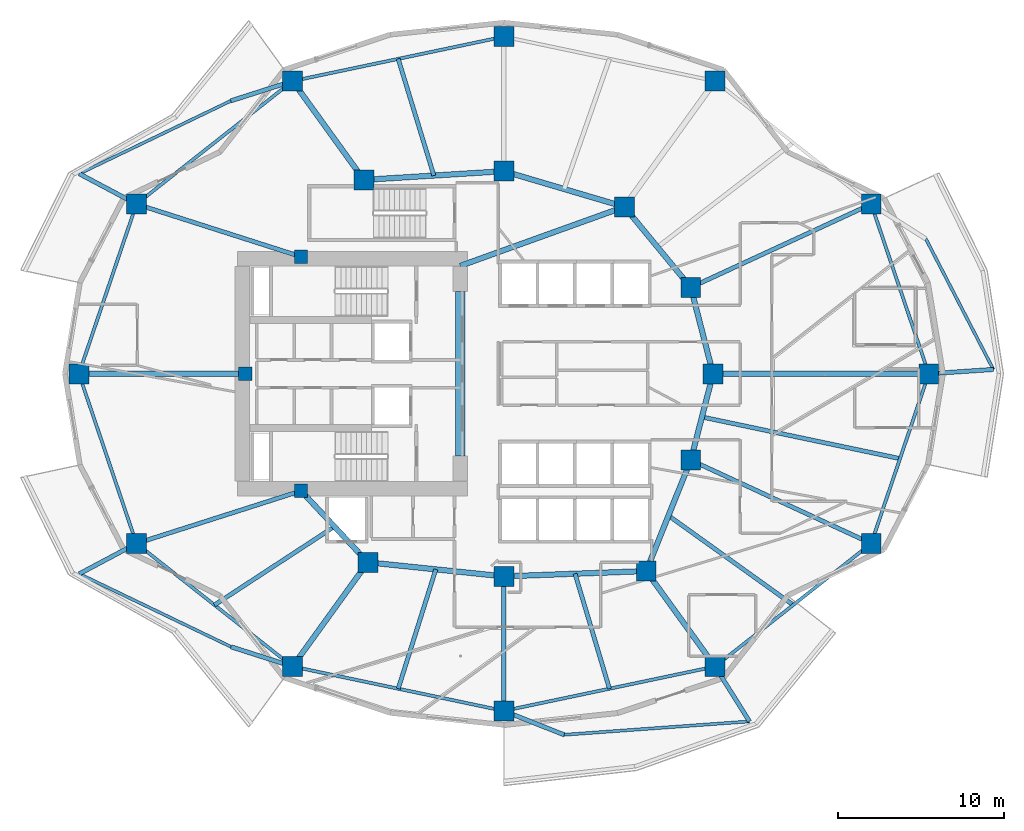
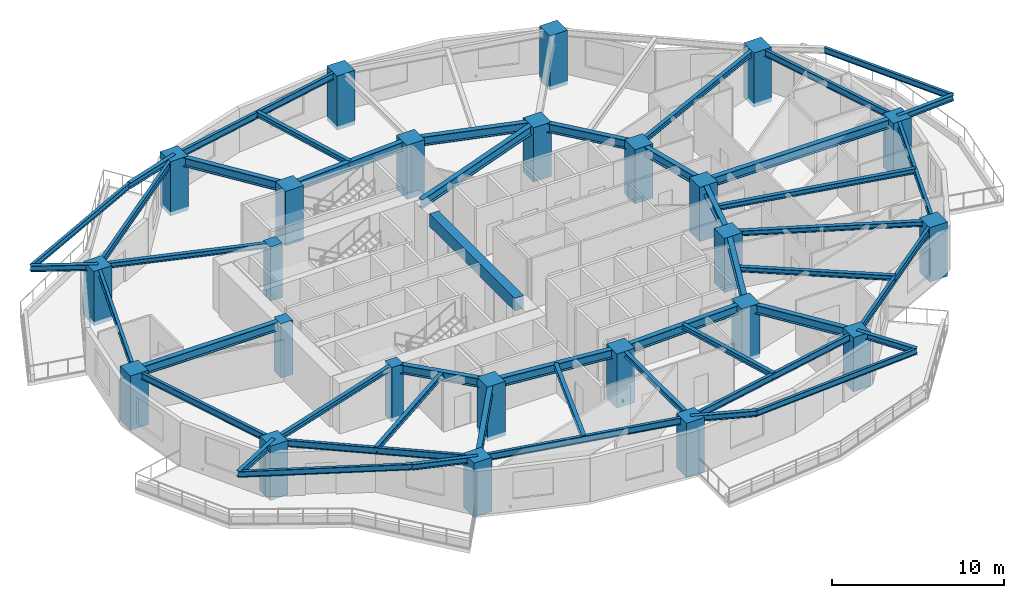
# One storey, part 1 of 15: 48 beams, 24 columns.
"""IFC4 building model written with IfcOpenShell, lengths in metres."""

from ifc_helpers import new_model, si_unit, direction, frame, origin, origin_2d, place, context, subcontext, project, spatial, rectangle, i_section, extrude, material, material_profile, profile_set, type_object, element, save


model = new_model("IFC4")

# Units and contexts
model_context = context("Model", 3, precision=1e-05, world=origin(), true_north=direction((0.0, 1.0)))
body_context = subcontext(model_context, "Body", "Model", "MODEL_VIEW")
ifc_project = project(units=[si_unit("LENGTHUNIT", "METRE"), si_unit("AREAUNIT", "SQUARE_METRE"), si_unit("VOLUMEUNIT", "CUBIC_METRE"), si_unit("PLANEANGLEUNIT", "RADIAN"), si_unit("MASSUNIT", "GRAM", prefix="KILO")], contexts=[model_context])

# Site, building, storey
site_placement = place(None, origin())
site = spatial("IfcSite", under=ifc_project, at=site_placement, CompositionType="ELEMENT")
building_placement = place(site_placement, origin())
building = spatial("IfcBuilding", under=site, at=building_placement, Name="Kolvaren Gate Tower and Convention Centre", CompositionType="ELEMENT")
storey_placement = place(building_placement, frame((0.0, 0.0, 72.699951171875)))
storey = spatial("IfcBuildingStorey", under=building, at=storey_placement, Name="L17", CompositionType="ELEMENT", Elevation=72.699951171875)

# Columns
ifc_material_1 = material(Name="Concrete C70/85", Category="concrete")
ifc_material_profile_1 = material_profile(ifc_material_1, rectangle(XDim=1.199951171875, YDim=1.199951171875, at=origin_2d()), Name="RC-COL-1200X1200")
ifc_profile_set_1 = profile_set([ifc_material_profile_1], Name="Concrete C70/85")
column_type_1 = type_object("IfcColumnType", Name="STR-COL-RC1200", PredefinedType="COLUMN", material=ifc_profile_set_1)
for number, where, z_axis, x_axis, name in (
    (1, (55.71240234375, 27.0, -0.280029296875), (0.0, 0.0, 1.0), (1.0, 0.0, 0.0), "Tower L17 Perimeter Supercolumn TP-01"),
    (2, (52.248779296875, 37.218505859375, -0.280029296875), (0.0, 0.0, 1.0), (1.0, 0.0, 0.0), "Tower L17 Perimeter Supercolumn TP-02"),
    (3, (42.846435546875, 44.627197265625, -0.280029296875), (0.0, 0.0, 1.0), (1.0, 0.0, 0.0), "Tower L17 Perimeter Supercolumn TP-03"),
    (4, (30.125, 47.300048828125, -0.280029296875), (0.0, 0.0, 1.0), (1.0, 0.0, 0.0), "Tower L17 Perimeter Supercolumn TP-04"),
    (5, (17.40380859375, 44.627197265625, -0.280029296875), (0.0, 0.0, 1.0), (1.0, 0.0, 0.0), "Tower L17 Perimeter Supercolumn TP-05"),
    (6, (8.001220703125, 37.218505859375, -0.280029296875), (0.0, 0.0, 1.0), (1.0, 0.0, 0.0), "Tower L17 Perimeter Supercolumn TP-06"),
    (7, (4.53759765625, 27.0, -0.280029296875), (0.0, 0.0, 1.0), (1.0, 0.0, 0.0), "Tower L17 Perimeter Supercolumn TP-07"),
    (8, (8.001220703125, 16.781494140625, -0.280029296875), (0.0, 0.0, 1.0), (1.0, 0.0, 0.0), "Tower L17 Perimeter Supercolumn TP-08"),
    (9, (17.403564453125, 9.372802734375, -0.280029296875), (0.0, 0.0, 1.0), (1.0, 0.0, 0.0), "Tower L17 Perimeter Supercolumn TP-09"),
    (10, (30.125, 6.699951171875, -0.280029296875), (0.0, 0.0, 1.0), (1.0, 0.0, 0.0), "Tower L17 Perimeter Supercolumn TP-10"),
    (11, (42.846435546875, 9.372802734375, -0.280029296875), (0.0, 0.0, 1.0), (1.0, 0.0, 0.0), "Tower L17 Perimeter Supercolumn TP-11"),
    (12, (52.248779296875, 16.781494140625, -0.280029296875), (0.0, 0.0, 1.0), (1.0, 0.0, 0.0), "Tower L17 Perimeter Supercolumn TP-12"),
    (13, (42.72509765625, 27.0, -0.280029296875), (0.0, 0.0, 1.0), (1.0, 0.0, 0.0), "Tower L17 Interior Column TI-01"),
    (14, (41.382080078125, 32.199462890625, -0.280029296875), (0.0, 0.0, 1.0), (1.0, 0.0, 0.0), "Tower L17 Interior Column TI-02"),
    (15, (37.381591796875, 37.054931640625, -0.280029296875), (0.0, 0.0, 1.0), (1.0, 0.0, 0.0), "Tower L17 Interior Column TI-03"),
    (16, (30.125, 39.199951171875, -0.280029296875), (0.0, 0.0, 1.0), (1.0, 0.0, 0.0), "Tower L17 Interior Column TI-04"),
    (17, (21.697998046875, 38.6767578125, -0.280029296875), (0.0, 0.0, 1.0), (1.0, 0.0, 0.0), "Tower L17 Interior Column TI-05"),
    (18, (21.93212890625, 15.647705078125, -0.280029296875), (0.0, 0.0, 1.0), (1.0, 0.0, 0.0), "Tower L17 Interior Column TI-06"),
    (19, (30.125, 14.800048828125, -0.280029296875), (0.0, 0.0, 1.0), (1.0, 0.0, 0.0), "Tower L17 Interior Column TI-07"),
    (20, (38.6982421875, 15.12060546875, -0.280029296875), (0.0, 0.0, 1.0), (1.0, 0.0, 0.0), "Tower L17 Interior Column TI-08"),
    (21, (41.382080078125, 21.800537109375, -0.280029296875), (0.0, 0.0, 1.0), (1.0, 0.0, 0.0), "Tower L17 Interior Column TI-09"),
):
    element("IfcColumn", number, at=place(storey_placement, frame(where, z_axis=z_axis, x_axis=x_axis)), inside=storey, type_object=column_type_1, Name=name, PredefinedType="COLUMN", context=body_context, shape_type="SweptSolid", body=[
        extrude(rectangle(XDim=1.199951171875, YDim=1.199951171875, at=origin_2d()), origin(), (0.0, 0.0, 1.0), 3.85009765625),
    ])
ifc_material_2 = material(Name="Concrete C60/75", Category="concrete")
ifc_material_profile_2 = material_profile(ifc_material_2, rectangle(XDim=0.800048828125, YDim=0.800048828125, at=origin_2d()), Name="RC-COL-800X800")
ifc_profile_set_2 = profile_set([ifc_material_profile_2], Name="Concrete C60/75")
column_type_2 = type_object("IfcColumnType", Name="STR-PIL-RC800", PredefinedType="PILASTER", material=ifc_profile_set_2)
for number, where, z_axis, x_axis, name in (
    (22, (17.9140625, 34.050048828125, -0.280029296875), (0.0, 0.0, 1.0), (1.0, 0.0, 0.0), "Tower L17 Core Boundary Pilaster TC-05"),
    (23, (14.550048828125, 27.0, -0.280029296875), (0.0, 0.0, 1.0), (1.0, 0.0, 0.0), "Tower L17 Core Boundary Pilaster TC-06"),
    (24, (17.9140625, 19.949951171875, -0.280029296875), (0.0, 0.0, 1.0), (1.0, 0.0, 0.0), "Tower L17 Core Boundary Pilaster TC-07"),
):
    element("IfcColumn", number, at=place(storey_placement, frame(where, z_axis=z_axis, x_axis=x_axis)), inside=storey, type_object=column_type_2, Name=name, PredefinedType="PILASTER", context=body_context, shape_type="SweptSolid", body=[
        extrude(rectangle(XDim=0.800048828125, YDim=0.800048828125, at=origin_2d()), origin(), (0.0, 0.0, 1.0), 3.85009765625),
    ])

# Beams
ifc_material_3 = material(Name="Structural steel ASTM A992 Grade 345 MPa", Category="steel")
ifc_material_profile_3 = material_profile(ifc_material_3, i_section(OverallWidth=0.260009765625, OverallDepth=0.419921875, WebThickness=0.013427734375, FlangeThickness=0.0224609375, at=origin_2d()), Name="W410X132")
ifc_profile_set_3 = profile_set([ifc_material_profile_3], Name="Structural steel ASTM A992 Grade 345 MPa")
beam_type_1 = type_object("IfcBeamType", Name="STR-BM-W410X132", PredefinedType="BEAM", material=ifc_profile_set_3)
for number, where, z_axis, x_axis, name in (
    (25, (17.40380859375, 44.627197265625, 3.360595703125), (-0.952402340544, -0.304843864505, 0.0), (0.304843864505, -0.952402340544, 0.0), "Tower L18 Planted Balcony Outrigger Cantilever BC-1A"),
    (26, (8.001220703125, 37.218505859375, 3.360595703125), (-0.883204047485, 0.468988923649, 0.0), (-0.468988923649, -0.883204047485, 0.0), "Tower L18 Planted Balcony Outrigger Cantilever BC-1B"),
    (27, (8.001220703125, 16.781494140625, 3.360595703125), (-0.883204047485, -0.468988923649, 0.0), (0.468988923649, -0.883204047485, 0.0), "Tower L18 Planted Balcony Outrigger Cantilever BC-2A"),
):
    element("IfcBeam", number, at=place(storey_placement, frame(where, z_axis=z_axis, x_axis=x_axis)), inside=storey, type_object=beam_type_1, Name=name, PredefinedType="BEAM", context=body_context, shape_type="SweptSolid", body=[
        extrude(i_section(OverallWidth=0.260009765625, OverallDepth=0.419921875, WebThickness=0.013427734375, FlangeThickness=0.0224609375, at=origin_2d()), origin(), (0.0, 0.0, 1.0), 3.900146484375),
    ])
beam_1_placement = place(storey_placement, frame((17.403564453125, 9.372802734375, 3.360595703125), z_axis=(-0.952396522965, 0.304862039361, 0.0), x_axis=(-0.304862039361, -0.952396522965, 0.0)))
element("IfcBeam", 28, at=beam_1_placement, inside=storey, type_object=beam_type_1, Name="Tower L18 Planted Balcony Outrigger Cantilever BC-2B", PredefinedType="BEAM", context=body_context, shape_type="SweptSolid", body=[
    extrude(i_section(OverallWidth=0.260009765625, OverallDepth=0.419921875, WebThickness=0.013427734375, FlangeThickness=0.0224609375, at=origin_2d()), origin(), (0.0, 0.0, 1.0), 3.89990234375),
])
beam_2_placement = place(storey_placement, frame((30.125, 6.699951171875, 3.360595703125), z_axis=(0.929543503993, -0.368712454611, 0.0), x_axis=(0.368712454611, 0.929543503993, 0.0)))
element("IfcBeam", 29, at=beam_2_placement, inside=storey, type_object=beam_type_1, Name="Tower L18 Planted Balcony Outrigger Cantilever BC-3A", PredefinedType="BEAM", context=body_context, shape_type="SweptSolid", body=[
    extrude(i_section(OverallWidth=0.260009765625, OverallDepth=0.419921875, WebThickness=0.013427734375, FlangeThickness=0.0224609375, at=origin_2d()), origin(), (0.0, 0.0, 1.0), 3.900146484375),
])
beam_3_placement = place(storey_placement, frame((42.846435546875, 9.372802734375, 3.360595703125), z_axis=(0.530533394879, -0.847664035405, 0.0), x_axis=(0.847664035405, 0.530533394879, 0.0)))
element("IfcBeam", 30, at=beam_3_placement, inside=storey, type_object=beam_type_1, Name="Tower L18 Planted Balcony Outrigger Cantilever BC-3B", PredefinedType="BEAM", context=body_context, shape_type="SweptSolid", body=[
    extrude(i_section(OverallWidth=0.260009765625, OverallDepth=0.419921875, WebThickness=0.013427734375, FlangeThickness=0.0224609375, at=origin_2d()), origin(), (0.0, 0.0, 1.0), 3.89990234375),
])
beam_4_placement = place(storey_placement, frame((55.71240234375, 27.0, 3.360595703125), z_axis=(0.997745931522, 0.067104814517, 0.0), x_axis=(-0.067104814517, 0.997745931522, 0.0)))
element("IfcBeam", 31, at=beam_4_placement, inside=storey, type_object=beam_type_1, Name="Tower L18 Planted Balcony Outrigger Cantilever BC-4A", PredefinedType="BEAM", context=body_context, shape_type="SweptSolid", body=[
    extrude(i_section(OverallWidth=0.260009765625, OverallDepth=0.419921875, WebThickness=0.013427734375, FlangeThickness=0.0224609375, at=origin_2d()), origin(), (0.0, 0.0, 1.0), 3.900146484375),
])
ifc_material_profile_4 = material_profile(ifc_material_3, i_section(OverallWidth=0.327880859375, OverallDepth=0.6279296875, WebThickness=0.0166015625, FlangeThickness=0.027587890625, at=origin_2d()), Name="W610X217")
ifc_profile_set_4 = profile_set([ifc_material_profile_4], Name="Structural steel ASTM A992 Grade 345 MPa")
beam_type_2 = type_object("IfcBeamType", Name="STR-BM-W610X217", PredefinedType="BEAM", material=ifc_profile_set_4)
beam_5_placement = place(storey_placement, frame((42.72509765625, 27.0, 3.256103515625), z_axis=(-0.250091133936, -0.968222301296, 0.0), x_axis=(0.968222301296, -0.250091133936, 0.0)))
element("IfcBeam", 32, at=beam_5_placement, inside=storey, type_object=beam_type_2, Name="Tower L17 Primary Ring Girder G-01", PredefinedType="BEAM", context=body_context, shape_type="SweptSolid", body=[
    extrude(i_section(OverallWidth=0.327880859375, OverallDepth=0.6279296875, WebThickness=0.0166015625, FlangeThickness=0.027587890625, at=origin_2d()), origin(), (0.0, 0.0, 1.0), 5.3701171875),
])
beam_6_placement = place(storey_placement, frame((41.382080078125, 32.199462890625, 3.256103515625), z_axis=(-0.635884066011, 0.771784590798, 0.0), x_axis=(-0.771784590798, -0.635884066011, 0.0)))
element("IfcBeam", 33, at=beam_6_placement, inside=storey, type_object=beam_type_2, Name="Tower L17 Primary Ring Girder G-02", PredefinedType="BEAM", context=body_context, shape_type="SweptSolid", body=[
    extrude(i_section(OverallWidth=0.327880859375, OverallDepth=0.6279296875, WebThickness=0.0166015625, FlangeThickness=0.027587890625, at=origin_2d()), origin(), (0.0, 0.0, 1.0), 6.291259765625),
])
beam_7_placement = place(storey_placement, frame((37.381591796875, 37.054931640625, 3.256103515625), z_axis=(-0.958980837827, 0.283470902706, 0.0), x_axis=(-0.283470902706, -0.958980837827, 0.0)))
element("IfcBeam", 34, at=beam_7_placement, inside=storey, type_object=beam_type_2, Name="Tower L17 Primary Ring Girder G-03", PredefinedType="BEAM", context=body_context, shape_type="SweptSolid", body=[
    extrude(i_section(OverallWidth=0.327880859375, OverallDepth=0.6279296875, WebThickness=0.0166015625, FlangeThickness=0.027587890625, at=origin_2d()), origin(), (0.0, 0.0, 1.0), 7.56689453125),
])
beam_8_placement = place(storey_placement, frame((30.125, 39.199951171875, 3.256103515625), z_axis=(-0.998078258568, -0.06196603726, 0.0), x_axis=(0.06196603726, -0.998078258568, 0.0)))
element("IfcBeam", 35, at=beam_8_placement, inside=storey, type_object=beam_type_2, Name="Tower L17 Primary Ring Girder G-04", PredefinedType="BEAM", context=body_context, shape_type="SweptSolid", body=[
    extrude(i_section(OverallWidth=0.327880859375, OverallDepth=0.6279296875, WebThickness=0.0166015625, FlangeThickness=0.027587890625, at=origin_2d()), origin(), (0.0, 0.0, 1.0), 8.443115234375),
])
beam_9_placement = place(storey_placement, frame((17.9140625, 19.949951171875, 3.256103515625), z_axis=(0.682557592987, -0.730831808459, 0.0), x_axis=(0.730831808459, 0.682557592987, 0.0)))
element("IfcBeam", 36, at=beam_9_placement, inside=storey, type_object=beam_type_2, Name="Tower L17 Primary Ring Girder G-06", PredefinedType="BEAM", context=body_context, shape_type="SweptSolid", body=[
    extrude(i_section(OverallWidth=0.327880859375, OverallDepth=0.6279296875, WebThickness=0.0166015625, FlangeThickness=0.027587890625, at=origin_2d()), origin(), (0.0, 0.0, 1.0), 5.88671875),
])
beam_10_placement = place(storey_placement, frame((21.93212890625, 15.647705078125, 3.256103515625), z_axis=(0.994690329115, -0.102913308978, 0.0), x_axis=(0.102913308978, 0.994690329115, 0.0)))
element("IfcBeam", 37, at=beam_10_placement, inside=storey, type_object=beam_type_2, Name="Tower L17 Primary Ring Girder G-07", PredefinedType="BEAM", context=body_context, shape_type="SweptSolid", body=[
    extrude(i_section(OverallWidth=0.327880859375, OverallDepth=0.6279296875, WebThickness=0.0166015625, FlangeThickness=0.027587890625, at=origin_2d()), origin(), (0.0, 0.0, 1.0), 8.236572265625),
])
beam_11_placement = place(storey_placement, frame((30.125, 14.800048828125, 3.256103515625), z_axis=(0.999301712453, 0.037364254142, 0.0), x_axis=(-0.037364254142, 0.999301712453, 0.0)))
element("IfcBeam", 38, at=beam_11_placement, inside=storey, type_object=beam_type_2, Name="Tower L17 Primary Ring Girder G-08", PredefinedType="BEAM", context=body_context, shape_type="SweptSolid", body=[
    extrude(i_section(OverallWidth=0.327880859375, OverallDepth=0.6279296875, WebThickness=0.0166015625, FlangeThickness=0.027587890625, at=origin_2d()), origin(), (0.0, 0.0, 1.0), 8.579345703125),
])
beam_12_placement = place(storey_placement, frame((38.6982421875, 15.12060546875, 3.256103515625), z_axis=(0.372811100169, 0.927907260232, 0.0), x_axis=(-0.927907260232, 0.372811100169, 0.0)))
element("IfcBeam", 39, at=beam_12_placement, inside=storey, type_object=beam_type_2, Name="Tower L17 Primary Ring Girder G-09", PredefinedType="BEAM", context=body_context, shape_type="SweptSolid", body=[
    extrude(i_section(OverallWidth=0.327880859375, OverallDepth=0.6279296875, WebThickness=0.0166015625, FlangeThickness=0.027587890625, at=origin_2d()), origin(), (0.0, 0.0, 1.0), 7.198974609375),
])
beam_13_placement = place(storey_placement, frame((27.5, 33.5, 3.256103515625), z_axis=(0.940961479908, 0.338513653093, 0.0), x_axis=(-0.338513653093, 0.940961479908, 0.0)))
element("IfcBeam", 40, at=beam_13_placement, inside=storey, type_object=beam_type_2, Name="Tower L17 Primary Ring Girder G-10", PredefinedType="BEAM", context=body_context, shape_type="SweptSolid", body=[
    extrude(i_section(OverallWidth=0.327880859375, OverallDepth=0.6279296875, WebThickness=0.0166015625, FlangeThickness=0.027587890625, at=origin_2d()), origin(), (0.0, 0.0, 1.0), 10.501708984375),
])
beam_14_placement = place(storey_placement, frame((42.72509765625, 27.0, 3.256103515625), z_axis=(-0.250091133936, 0.968222301296, 0.0), x_axis=(-0.968222301296, -0.250091133936, 0.0)))
element("IfcBeam", 41, at=beam_14_placement, inside=storey, type_object=beam_type_2, Name="Tower L17 Primary Ring Girder G-12", PredefinedType="BEAM", context=body_context, shape_type="SweptSolid", body=[
    extrude(i_section(OverallWidth=0.327880859375, OverallDepth=0.6279296875, WebThickness=0.0166015625, FlangeThickness=0.027587890625, at=origin_2d()), origin(), (0.0, 0.0, 1.0), 5.3701171875),
])
beam_15_placement = place(storey_placement, frame((42.72509765625, 27.0, 3.256103515625), z_axis=(1.0, 0.0, 0.0), x_axis=(0.0, 1.0, 0.0)))
element("IfcBeam", 42, at=beam_15_placement, inside=storey, type_object=beam_type_2, Name="Tower L17 Radial Floor Girder RB-01", PredefinedType="BEAM", context=body_context, shape_type="SweptSolid", body=[
    extrude(i_section(OverallWidth=0.327880859375, OverallDepth=0.6279296875, WebThickness=0.0166015625, FlangeThickness=0.027587890625, at=origin_2d()), origin(), (0.0, 0.0, 1.0), 12.9873046875),
])
beam_16_placement = place(storey_placement, frame((21.697998046875, 38.6767578125, 3.256103515625), z_axis=(-0.585190474102, 0.810895868173, 0.0), x_axis=(-0.810895868173, -0.585190474102, 0.0)))
element("IfcBeam", 43, at=beam_16_placement, inside=storey, type_object=beam_type_2, Name="Tower L17 Radial Floor Girder RB-05", PredefinedType="BEAM", context=body_context, shape_type="SweptSolid", body=[
    extrude(i_section(OverallWidth=0.327880859375, OverallDepth=0.6279296875, WebThickness=0.0166015625, FlangeThickness=0.027587890625, at=origin_2d()), origin(), (0.0, 0.0, 1.0), 7.338134765625),
])
beam_17_placement = place(storey_placement, frame((14.550048828125, 27.0, 3.256103515625), z_axis=(-1.0, 0.0, 0.0), x_axis=(0.0, -1.0, 0.0)))
element("IfcBeam", 44, at=beam_17_placement, inside=storey, type_object=beam_type_2, Name="Tower L17 Radial Floor Girder RB-07", PredefinedType="BEAM", context=body_context, shape_type="SweptSolid", body=[
    extrude(i_section(OverallWidth=0.327880859375, OverallDepth=0.6279296875, WebThickness=0.0166015625, FlangeThickness=0.027587890625, at=origin_2d()), origin(), (0.0, 0.0, 1.0), 10.012451171875),
])
beam_18_placement = place(storey_placement, frame((21.93212890625, 15.647705078125, 3.256103515625), z_axis=(-0.585209453994, -0.810882170821, 0.0), x_axis=(0.810882170821, -0.585209453994, 0.0)))
element("IfcBeam", 45, at=beam_18_placement, inside=storey, type_object=beam_type_2, Name="Tower L17 Radial Floor Girder RB-09", PredefinedType="BEAM", context=body_context, shape_type="SweptSolid", body=[
    extrude(i_section(OverallWidth=0.327880859375, OverallDepth=0.6279296875, WebThickness=0.0166015625, FlangeThickness=0.027587890625, at=origin_2d()), origin(), (0.0, 0.0, 1.0), 7.73828125),
])
beam_19_placement = place(storey_placement, frame((38.6982421875, 15.12060546875, 3.256103515625), z_axis=(0.585212604054, -0.81087989743, 0.0), x_axis=(0.81087989743, 0.585212604054, 0.0)))
element("IfcBeam", 46, at=beam_19_placement, inside=storey, type_object=beam_type_2, Name="Tower L17 Radial Floor Girder RB-11", PredefinedType="BEAM", context=body_context, shape_type="SweptSolid", body=[
    extrude(i_section(OverallWidth=0.327880859375, OverallDepth=0.6279296875, WebThickness=0.0166015625, FlangeThickness=0.027587890625, at=origin_2d()), origin(), (0.0, 0.0, 1.0), 7.08837890625),
])
ifc_material_profile_5 = material_profile(ifc_material_3, i_section(OverallWidth=0.2548828125, OverallDepth=0.35693359375, WebThickness=0.010498046875, FlangeThickness=0.018310546875, at=origin_2d()), Name="W360X101")
ifc_profile_set_5 = profile_set([ifc_material_profile_5], Name="Structural steel ASTM A992 Grade 345 MPa")
beam_type_3 = type_object("IfcBeamType", Name="STR-JS-W360X101", PredefinedType="JOIST", material=ifc_profile_set_5)
beam_20_placement = place(storey_placement, frame((41.382080078125, 32.199462890625, 3.3916015625), z_axis=(0.907843538102, 0.419309086864, 0.0), x_axis=(-0.419309086864, 0.907843538102, 0.0)))
element("IfcBeam", 47, at=beam_20_placement, inside=storey, type_object=beam_type_3, Name="Tower L17 Radial Floor Girder RB-02", PredefinedType="JOIST", context=body_context, shape_type="SweptSolid", body=[
    extrude(i_section(OverallWidth=0.2548828125, OverallDepth=0.35693359375, WebThickness=0.010498046875, FlangeThickness=0.018310546875, at=origin_2d()), origin(), (0.0, 0.0, 1.0), 11.9697265625),
])
for number, where, z_axis, x_axis, name in (
    (48, (17.9140625, 34.050048828125, 3.3916015625), (-0.952525967456, 0.304457355507, 0.0), (-0.304457355507, -0.952525967456, 0.0), "Tower L17 Radial Floor Girder RB-06"),
    (49, (17.9140625, 19.949951171875, 3.3916015625), (-0.952525967456, -0.304457355507, 0.0), (0.304457355507, -0.952525967456, 0.0), "Tower L17 Radial Floor Girder RB-08"),
):
    element("IfcBeam", number, at=place(storey_placement, frame(where, z_axis=z_axis, x_axis=x_axis)), inside=storey, type_object=beam_type_3, Name=name, PredefinedType="JOIST", context=body_context, shape_type="SweptSolid", body=[
        extrude(i_section(OverallWidth=0.2548828125, OverallDepth=0.35693359375, WebThickness=0.010498046875, FlangeThickness=0.018310546875, at=origin_2d()), origin(), (0.0, 0.0, 1.0), 10.406982421875),
    ])
beam_21_placement = place(storey_placement, frame((30.125, 14.800048828125, 3.3916015625), z_axis=(0.0, -1.0, 0.0), x_axis=(1.0, 0.0, 0.0)))
element("IfcBeam", 50, at=beam_21_placement, inside=storey, type_object=beam_type_3, Name="Tower L17 Radial Floor Girder RB-10", PredefinedType="JOIST", context=body_context, shape_type="SweptSolid", body=[
    extrude(i_section(OverallWidth=0.2548828125, OverallDepth=0.35693359375, WebThickness=0.010498046875, FlangeThickness=0.018310546875, at=origin_2d()), origin(), (0.0, 0.0, 1.0), 8.10009765625),
])
beam_22_placement = place(storey_placement, frame((41.382080078125, 21.800537109375, 3.3916015625), z_axis=(0.907843538102, -0.419309086864, 0.0), x_axis=(0.419309086864, 0.907843538102, 0.0)))
element("IfcBeam", 51, at=beam_22_placement, inside=storey, type_object=beam_type_3, Name="Tower L17 Radial Floor Girder RB-12", PredefinedType="JOIST", context=body_context, shape_type="SweptSolid", body=[
    extrude(i_section(OverallWidth=0.2548828125, OverallDepth=0.35693359375, WebThickness=0.010498046875, FlangeThickness=0.018310546875, at=origin_2d()), origin(), (0.0, 0.0, 1.0), 11.9697265625),
])
beam_23_placement = place(storey_placement, frame((25.91162109375, 38.938232421875, 3.3916015625), z_axis=(-0.292298748053, 0.956327058012, 0.0), x_axis=(-0.956327058012, -0.292298748053, 0.0)))
element("IfcBeam", 52, at=beam_23_placement, inside=storey, type_object=beam_type_3, Name="Tower L17 Secondary Composite Floor Joist J-04.1", PredefinedType="JOIST", context=body_context, shape_type="SweptSolid", body=[
    extrude(i_section(OverallWidth=0.2548828125, OverallDepth=0.35693359375, WebThickness=0.010498046875, FlangeThickness=0.018310546875, at=origin_2d()), origin(), (0.0, 0.0, 1.0), 7.345947265625),
])
beam_24_placement = place(storey_placement, frame((19.923095703125, 17.798828125, 3.3916015625), z_axis=(-0.836945684387, -0.547285959428, 0.0), x_axis=(0.547285959428, -0.836945684387, 0.0)))
element("IfcBeam", 53, at=beam_24_placement, inside=storey, type_object=beam_type_3, Name="Tower L17 Secondary Composite Floor Joist J-08.1", PredefinedType="JOIST", context=body_context, shape_type="SweptSolid", body=[
    extrude(i_section(OverallWidth=0.2548828125, OverallDepth=0.35693359375, WebThickness=0.010498046875, FlangeThickness=0.018310546875, at=origin_2d()), origin(), (0.0, 0.0, 1.0), 8.62744140625),
])
beam_25_placement = place(storey_placement, frame((26.028564453125, 15.223876953125, 3.3916015625), z_axis=(-0.300467647472, -0.953792007108, 0.0), x_axis=(0.953792007108, -0.300467647472, 0.0)))
element("IfcBeam", 54, at=beam_25_placement, inside=storey, type_object=beam_type_3, Name="Tower L17 Secondary Composite Floor Joist J-09.1", PredefinedType="JOIST", context=body_context, shape_type="SweptSolid", body=[
    extrude(i_section(OverallWidth=0.2548828125, OverallDepth=0.35693359375, WebThickness=0.010498046875, FlangeThickness=0.018310546875, at=origin_2d()), origin(), (0.0, 0.0, 1.0), 7.535400390625),
])
beam_26_placement = place(storey_placement, frame((34.41162109375, 14.960205078125, 3.3916015625), z_axis=(0.286954287166, -0.957944276603, 0.0), x_axis=(0.957944276603, 0.286954287166, 0.0)))
element("IfcBeam", 55, at=beam_26_placement, inside=storey, type_object=beam_type_3, Name="Tower L17 Secondary Composite Floor Joist J-10.1", PredefinedType="JOIST", context=body_context, shape_type="SweptSolid", body=[
    extrude(i_section(OverallWidth=0.2548828125, OverallDepth=0.35693359375, WebThickness=0.010498046875, FlangeThickness=0.018310546875, at=origin_2d()), origin(), (0.0, 0.0, 1.0), 7.2275390625),
])
beam_27_placement = place(storey_placement, frame((40.040283203125, 18.46044921875, 3.3916015625), z_axis=(0.812660683761, -0.582737173234, 0.0), x_axis=(0.582737173234, 0.812660683761, 0.0)))
element("IfcBeam", 56, at=beam_27_placement, inside=storey, type_object=beam_type_3, Name="Tower L17 Secondary Composite Floor Joist J-11.1", PredefinedType="JOIST", context=body_context, shape_type="SweptSolid", body=[
    extrude(i_section(OverallWidth=0.2548828125, OverallDepth=0.35693359375, WebThickness=0.010498046875, FlangeThickness=0.018310546875, at=origin_2d()), origin(), (0.0, 0.0, 1.0), 9.238037109375),
])
beam_28_placement = place(storey_placement, frame((42.0537109375, 24.400146484375, 3.3916015625), z_axis=(0.978573369431, -0.205898423114, 0.0), x_axis=(0.205898423114, 0.978573369431, 0.0)))
element("IfcBeam", 57, at=beam_28_placement, inside=storey, type_object=beam_type_3, Name="Tower L17 Secondary Composite Floor Joist J-12.1", PredefinedType="JOIST", context=body_context, shape_type="SweptSolid", body=[
    extrude(i_section(OverallWidth=0.2548828125, OverallDepth=0.35693359375, WebThickness=0.010498046875, FlangeThickness=0.018310546875, at=origin_2d()), origin(), (0.0, 0.0, 1.0), 12.188232421875),
])
ifc_material_profile_6 = material_profile(ifc_material_2, rectangle(XDim=0.60009765625, YDim=0.89990234375, at=origin_2d()), Name="RC-BM-600X900")
ifc_profile_set_6 = profile_set([ifc_material_profile_6], Name="Concrete C60/75")
beam_type_4 = type_object("IfcBeamType", Name="STR-LN-RC600X900", PredefinedType="LINTEL", material=ifc_profile_set_6)
beam_29_placement = place(storey_placement, frame((27.5, 22.050048828125, 3.1201171875), z_axis=(0.0, 1.0, 0.0), x_axis=(-1.0, 0.0, 0.0)))
element("IfcBeam", 58, at=beam_29_placement, inside=storey, type_object=beam_type_4, Name="Tower L17 Core Ductile Coupling Beam CB-01", PredefinedType="LINTEL", context=body_context, shape_type="SweptSolid", body=[
    extrude(rectangle(XDim=0.60009765625, YDim=0.89990234375, at=origin_2d()), origin(), (0.0, 0.0, 1.0), 9.89990234375),
])
ifc_material_profile_7 = material_profile(ifc_material_3, i_section(OverallWidth=0.180908203125, OverallDepth=0.4169921875, WebThickness=0.010986328125, FlangeThickness=0.018310546875, at=origin_2d()), Name="W410X85")
ifc_profile_set_7 = profile_set([ifc_material_profile_7], Name="Structural steel ASTM A992 Grade 345 MPa")
beam_type_5 = type_object("IfcBeamType", Name="STR-SP-W410X85", PredefinedType="SPANDREL", material=ifc_profile_set_7)
for number, where, z_axis, x_axis, name in (
    (59, (13.689208984375, 43.438232421875, 3.362060546875), (-0.90125369106, -0.433291800466, 0.0), (0.433291800466, -0.90125369106, 0.0), "Tower L18 Planted Balcony Header Tie Beam BT-1"),
    (60, (4.556640625, 14.952392578125, 3.362060546875), (0.90125369106, -0.433291800466, 0.0), (0.433291800466, 0.90125369106, 0.0), "Tower L18 Planted Balcony Header Tie Beam BT-2"),
):
    element("IfcBeam", number, at=place(storey_placement, frame(where, z_axis=z_axis, x_axis=x_axis)), inside=storey, type_object=beam_type_5, Name=name, PredefinedType="SPANDREL", context=body_context, shape_type="SweptSolid", body=[
        extrude(i_section(OverallWidth=0.180908203125, OverallDepth=0.4169921875, WebThickness=0.010986328125, FlangeThickness=0.018310546875, at=origin_2d()), origin(), (0.0, 0.0, 1.0), 10.13330078125),
    ])
beam_30_placement = place(storey_placement, frame((33.750244140625, 5.261962890625, 3.362060546875), z_axis=(0.99741143149, 0.071905746171, 0.0), x_axis=(-0.071905746171, 0.99741143149, 0.0)))
element("IfcBeam", 61, at=beam_30_placement, inside=storey, type_object=beam_type_5, Name="Tower L18 Planted Balcony Header Tie Beam BT-3", PredefinedType="SPANDREL", context=body_context, shape_type="SweptSolid", body=[
    extrude(i_section(OverallWidth=0.180908203125, OverallDepth=0.4169921875, WebThickness=0.010986328125, FlangeThickness=0.018310546875, at=origin_2d()), origin(), (0.0, 0.0, 1.0), 11.1943359375),
])
beam_31_placement = place(storey_placement, frame((59.603759765625, 27.26171875, 3.362060546875), z_axis=(-0.459287093639, 0.888287884425, 0.0), x_axis=(-0.888287884425, -0.459287093639, 0.0)))
element("IfcBeam", 62, at=beam_31_placement, inside=storey, type_object=beam_type_5, Name="Tower L18 Planted Balcony Header Tie Beam BT-4", PredefinedType="SPANDREL", context=body_context, shape_type="SweptSolid", body=[
    extrude(i_section(OverallWidth=0.180908203125, OverallDepth=0.4169921875, WebThickness=0.010986328125, FlangeThickness=0.018310546875, at=origin_2d()), origin(), (0.0, 0.0, 1.0), 8.85107421875),
])
ifc_material_profile_8 = material_profile(ifc_material_3, i_section(OverallWidth=0.194091796875, OverallDepth=0.468994140625, WebThickness=0.0126953125, FlangeThickness=0.0205078125, at=origin_2d()), Name="W460X106")
ifc_profile_set_8 = profile_set([ifc_material_profile_8], Name="Structural steel ASTM A992 Grade 345 MPa")
beam_type_6 = type_object("IfcBeamType", Name="STR-SP-W460X106", PredefinedType="SPANDREL", material=ifc_profile_set_8)
beam_32_placement = place(storey_placement, frame((55.71240234375, 27.0, 3.33544921875), z_axis=(-0.321016233787, 0.947073691771, 0.0), x_axis=(-0.947073691771, -0.321016233787, 0.0)))
element("IfcBeam", 63, at=beam_32_placement, inside=storey, type_object=beam_type_6, Name="Tower L17 Perimeter Spandrel Beam SP-01", PredefinedType="SPANDREL", context=body_context, shape_type="SweptSolid", body=[
    extrude(i_section(OverallWidth=0.194091796875, OverallDepth=0.468994140625, WebThickness=0.0126953125, FlangeThickness=0.0205078125, at=origin_2d()), origin(), (0.0, 0.0, 1.0), 10.78955078125),
])
beam_33_placement = place(storey_placement, frame((30.125, 47.300048828125, 3.33544921875), z_axis=(-0.97863180809, -0.205620485836, 0.0), x_axis=(0.205620485836, -0.97863180809, 0.0)))
element("IfcBeam", 64, at=beam_33_placement, inside=storey, type_object=beam_type_6, Name="Tower L17 Perimeter Spandrel Beam SP-04", PredefinedType="SPANDREL", context=body_context, shape_type="SweptSolid", body=[
    extrude(i_section(OverallWidth=0.194091796875, OverallDepth=0.468994140625, WebThickness=0.0126953125, FlangeThickness=0.0205078125, at=origin_2d()), origin(), (0.0, 0.0, 1.0), 12.9990234375),
])
beam_34_placement = place(storey_placement, frame((17.40380859375, 44.627197265625, 3.33544921875), z_axis=(-0.785467636887, -0.618902731778, 0.0), x_axis=(0.618902731778, -0.785467636887, 0.0)))
element("IfcBeam", 65, at=beam_34_placement, inside=storey, type_object=beam_type_6, Name="Tower L17 Perimeter Spandrel Beam SP-05", PredefinedType="SPANDREL", context=body_context, shape_type="SweptSolid", body=[
    extrude(i_section(OverallWidth=0.194091796875, OverallDepth=0.468994140625, WebThickness=0.0126953125, FlangeThickness=0.0205078125, at=origin_2d()), origin(), (0.0, 0.0, 1.0), 11.970703125),
])
for number, where, z_axis, x_axis, name in (
    (66, (8.001220703125, 37.218505859375, 3.33544921875), (-0.321016233787, -0.947073691771, 0.0), (0.947073691771, -0.321016233787, 0.0), "Tower L17 Perimeter Spandrel Beam SP-06"),
    (67, (4.53759765625, 27.0, 3.33544921875), (0.321016233787, -0.947073691771, 0.0), (0.947073691771, 0.321016233787, 0.0), "Tower L17 Perimeter Spandrel Beam SP-07"),
):
    element("IfcBeam", number, at=place(storey_placement, frame(where, z_axis=z_axis, x_axis=x_axis)), inside=storey, type_object=beam_type_6, Name=name, PredefinedType="SPANDREL", context=body_context, shape_type="SweptSolid", body=[
        extrude(i_section(OverallWidth=0.194091796875, OverallDepth=0.468994140625, WebThickness=0.0126953125, FlangeThickness=0.0205078125, at=origin_2d()), origin(), (0.0, 0.0, 1.0), 10.78955078125),
    ])
beam_35_placement = place(storey_placement, frame((8.001220703125, 16.781494140625, 3.33544921875), z_axis=(0.785459824636, -0.618912646407, 0.0), x_axis=(0.618912646407, 0.785459824636, 0.0)))
element("IfcBeam", 68, at=beam_35_placement, inside=storey, type_object=beam_type_6, Name="Tower L17 Perimeter Spandrel Beam SP-08", PredefinedType="SPANDREL", context=body_context, shape_type="SweptSolid", body=[
    extrude(i_section(OverallWidth=0.194091796875, OverallDepth=0.468994140625, WebThickness=0.0126953125, FlangeThickness=0.0205078125, at=origin_2d()), origin(), (0.0, 0.0, 1.0), 11.970458984375),
])
for number, where, z_axis, x_axis, name in (
    (69, (17.403564453125, 9.372802734375, 3.33544921875), (0.978632602148, -0.205616706552, 0.0), (0.205616706552, 0.978632602148, 0.0), "Tower L17 Perimeter Spandrel Beam SP-09"),
    (70, (30.125, 6.699951171875, 3.33544921875), (0.978632602148, 0.205616706552, 0.0), (-0.205616706552, 0.978632602148, 0.0), "Tower L17 Perimeter Spandrel Beam SP-10"),
):
    element("IfcBeam", number, at=place(storey_placement, frame(where, z_axis=z_axis, x_axis=x_axis)), inside=storey, type_object=beam_type_6, Name=name, PredefinedType="SPANDREL", context=body_context, shape_type="SweptSolid", body=[
        extrude(i_section(OverallWidth=0.194091796875, OverallDepth=0.468994140625, WebThickness=0.0126953125, FlangeThickness=0.0205078125, at=origin_2d()), origin(), (0.0, 0.0, 1.0), 12.999267578125),
    ])
beam_36_placement = place(storey_placement, frame((42.846435546875, 9.372802734375, 3.33544921875), z_axis=(0.785459824636, 0.618912646407, 0.0), x_axis=(-0.618912646407, 0.785459824636, 0.0)))
element("IfcBeam", 71, at=beam_36_placement, inside=storey, type_object=beam_type_6, Name="Tower L17 Perimeter Spandrel Beam SP-11", PredefinedType="SPANDREL", context=body_context, shape_type="SweptSolid", body=[
    extrude(i_section(OverallWidth=0.194091796875, OverallDepth=0.468994140625, WebThickness=0.0126953125, FlangeThickness=0.0205078125, at=origin_2d()), origin(), (0.0, 0.0, 1.0), 11.970458984375),
])
beam_37_placement = place(storey_placement, frame((52.248779296875, 16.781494140625, 3.33544921875), z_axis=(0.321016233787, 0.947073691771, 0.0), x_axis=(-0.947073691771, 0.321016233787, 0.0)))
element("IfcBeam", 72, at=beam_37_placement, inside=storey, type_object=beam_type_6, Name="Tower L17 Perimeter Spandrel Beam SP-12", PredefinedType="SPANDREL", context=body_context, shape_type="SweptSolid", body=[
    extrude(i_section(OverallWidth=0.194091796875, OverallDepth=0.468994140625, WebThickness=0.0126953125, FlangeThickness=0.0205078125, at=origin_2d()), origin(), (0.0, 0.0, 1.0), 10.78955078125),
])

save(model, "model.ifc")
